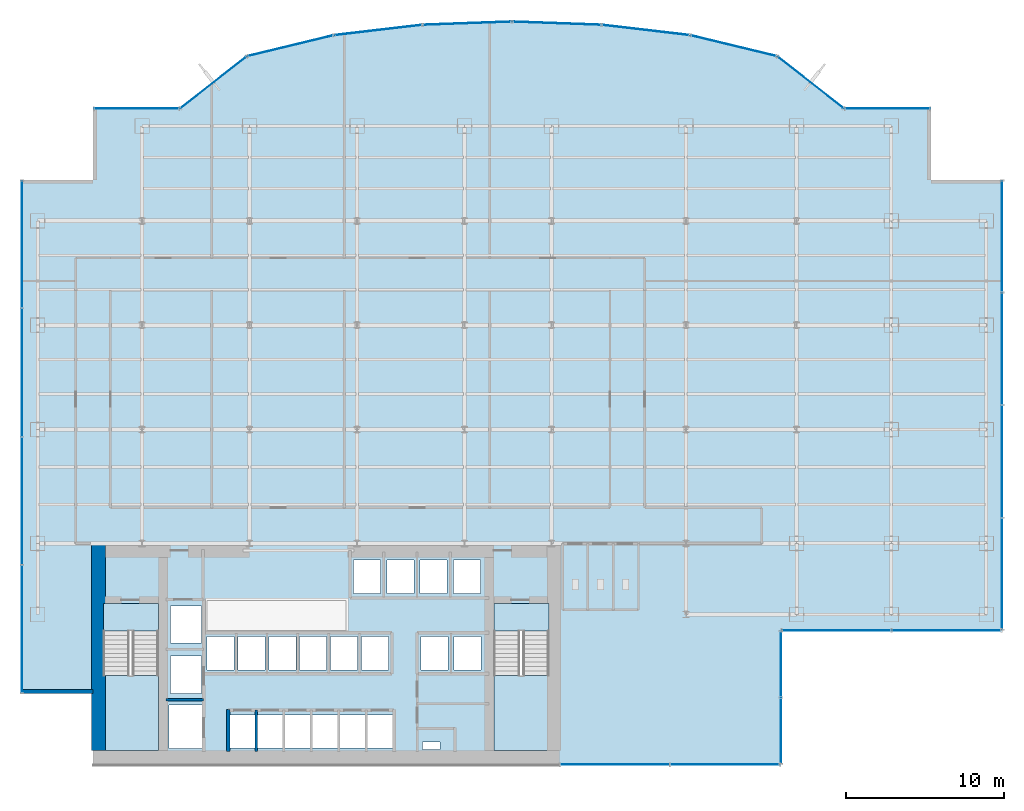
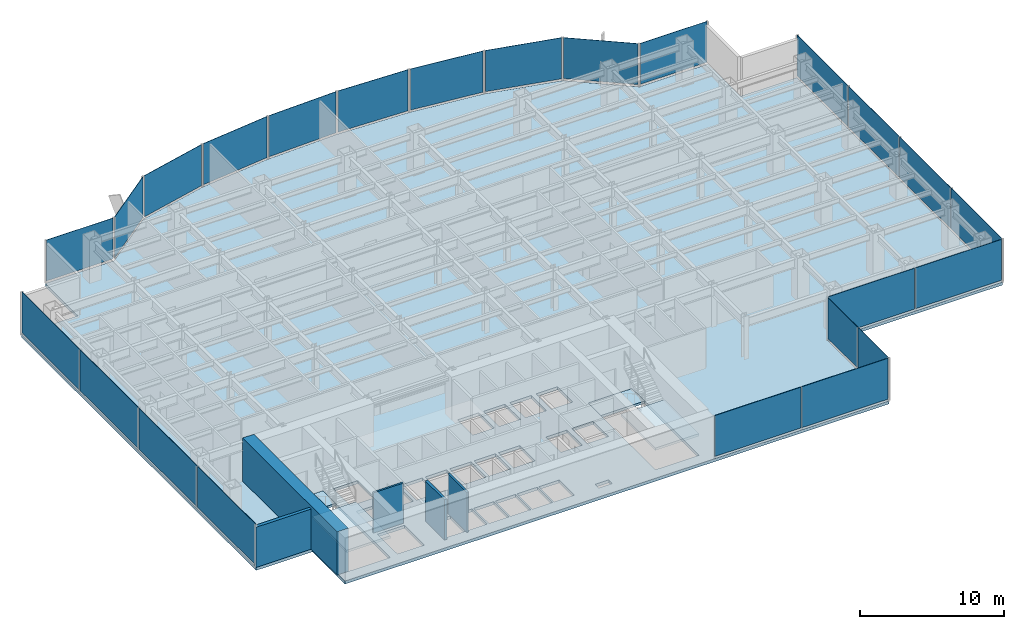
# One storey, part 17 of 23: 24 plates, 5 slabs, 5 walls, 17 elements without a shape of their own.
"""IFC4 building model written with IfcOpenShell, lengths in metres."""

from ifc_helpers import new_model, si_unit, derived_unit, direction, frame, frame_2d, origin, origin_2d, place, context, subcontext, project, spatial, polyline, rectangle, outline, extrude, source, transform, mapped, material, layer, layer_set, type_object, element, aggregate, save


model = new_model("IFC4")

# Units and contexts
model_context = context("Model", 3, precision=1e-05, world=origin(), true_north=direction((0.0, 1.0)))
body_context = subcontext(model_context, "Body", "Model", "MODEL_VIEW")
ifc_project = project(units=[si_unit("LENGTHUNIT", "METRE"), si_unit("AREAUNIT", "SQUARE_METRE"), si_unit("VOLUMEUNIT", "CUBIC_METRE"), si_unit("PLANEANGLEUNIT", "RADIAN"), si_unit("MASSUNIT", "GRAM", prefix="KILO"), derived_unit("THERMALTRANSMITTANCEUNIT", [(si_unit("POWERUNIT", "WATT"), 1), (si_unit("LENGTHUNIT", "METRE"), -2), (si_unit("THERMODYNAMICTEMPERATUREUNIT", "KELVIN"), -1)])], contexts=[model_context])

# Site, building, storey
site_placement = place(None, origin())
site = spatial("IfcSite", under=ifc_project, at=site_placement, CompositionType="ELEMENT")
building_placement = place(site_placement, origin())
building = spatial("IfcBuilding", under=site, at=building_placement, Name="Skarnbrae Concourse Arena and Tower", CompositionType="ELEMENT")
storey_placement = place(building_placement, frame((0.0, 0.0, 47.10009765625)))
storey = spatial("IfcBuildingStorey", under=building, at=storey_placement, Name="L10", CompositionType="ELEMENT", Elevation=47.10009765625)

# Stair, slab
ifc_material_1 = material(Name="Concrete 40 MPa (C40/50)", Category="concrete")
stair_type = type_object("IfcStairType", Name="STAIR-DOGLEG-1650", PredefinedType="HALF_TURN_STAIR", material=ifc_material_1)
stair_1_placement = place(storey_placement, origin())
stair_1 = element("IfcStair", 1, at=stair_1_placement, inside=storey, type_object=stair_type, Name="L10 Protected Exit Stair ST-1", PredefinedType="HALF_TURN_STAIR")
ifc_layer_1 = layer(ifc_material_1, 0.199951171875)
ifc_layer_set_1 = layer_set([ifc_layer_1], Name="Concrete 40 MPa (C40/50)")
slab_type_1 = type_object("IfcSlabType", Name="SLAB-LANDING-200", PredefinedType="LANDING", material=ifc_layer_set_1)
slab_1_placement = place(storey_placement, frame((0.0, 0.0, 1.625)))
slab_1 = element("IfcSlab", 2, at=slab_1_placement, type_object=slab_type_1, Name="ST-1 landing 1", PredefinedType="LANDING", context=body_context, shape_type="SweptSolid", body=[
    extrude(outline(polyline([(5.14990234375, 5.64990234375), (5.14990234375, 0.89990234375), (8.64990234375, 0.89990234375), (8.64990234375, 5.64990234375), (5.14990234375, 5.64990234375)])), origin(), (0.0, 0.0, 1.0), 0.199951171875),
])
aggregate(stair_1, [slab_1])

stair_2_placement = place(storey_placement, origin())
stair_2 = element("IfcStair", 3, at=stair_2_placement, inside=storey, type_object=stair_type, Name="L10 Protected Exit Stair ST-2", PredefinedType="HALF_TURN_STAIR")
slab_2_placement = place(storey_placement, frame((0.0, 0.0, 1.625)))
slab_2 = element("IfcSlab", 4, at=slab_2_placement, type_object=slab_type_1, Name="ST-2 landing 1", PredefinedType="LANDING", context=body_context, shape_type="SweptSolid", body=[
    extrude(outline(polyline([(29.85009765625, 5.64990234375), (29.85009765625, 0.89990234375), (33.35009765625, 0.89990234375), (33.35009765625, 5.64990234375), (29.85009765625, 5.64990234375)])), origin(), (0.0, 0.0, 1.0), 0.199951171875),
])
aggregate(stair_2, [slab_2])

# Slabs
slab_3_placement = place(storey_placement, frame((0.0, 0.0, -0.2001953125)))
element("IfcSlab", 5, at=slab_3_placement, inside=storey, type_object=slab_type_1, Name="L10 Core stair ST1 floor landing", PredefinedType="LANDING", context=body_context, shape_type="SweptSolid", body=[
    extrude(outline(polyline([(5.14990234375, 10.199951171875), (5.14990234375, 8.449951171875), (8.64990234375, 8.449951171875), (8.64990234375, 10.199951171875), (5.14990234375, 10.199951171875)])), origin(), (0.0, 0.0, 1.0), 0.2001953125),
])
slab_4_placement = place(storey_placement, frame((0.0, 0.0, -0.2001953125)))
element("IfcSlab", 6, at=slab_4_placement, inside=storey, type_object=slab_type_1, Name="L10 Core stair ST2 floor landing", PredefinedType="LANDING", context=body_context, shape_type="SweptSolid", body=[
    extrude(outline(polyline([(29.85009765625, 10.199951171875), (29.85009765625, 8.449951171875), (33.35009765625, 8.449951171875), (33.35009765625, 10.199951171875), (29.85009765625, 10.199951171875)])), origin(), (0.0, 0.0, 1.0), 0.2001953125),
])
ifc_layer_2 = layer(ifc_material_1, 0.25)
ifc_layer_set_2 = layer_set([ifc_layer_2], Name="Concrete 40 MPa (C40/50)")
slab_type_2 = type_object("IfcSlabType", Name="SLAB-TOWER-250", PredefinedType="FLOOR", material=ifc_layer_set_2)
slab_5_placement = place(storey_placement, frame((0.0, 0.0, -0.25)))
element("IfcSlab", 7, at=slab_5_placement, inside=storey, type_object=slab_type_2, Name="L10 Structural floor slab", PredefinedType="FLOOR", context=body_context, shape_type="SweptSolid", body=[
    extrude(outline(polyline([(4.5, 0.0), (48.0, 0.0), (48.0, 8.5), (62.0, 8.5), (62.0, 37.0), (57.5, 37.0), (57.5, 41.5), (52.0, 41.5), (47.766357421875, 44.811767578125), (42.2724609375, 46.140380859375), (36.65380859375, 46.796875), (31.0, 47.0), (25.34619140625, 46.796875), (19.7275390625, 46.140380859375), (14.233642578125, 44.811767578125), (10.0, 41.5), (4.5, 41.5), (4.5, 37.0), (0.0, 37.0), (0.0, 4.5), (4.5, 4.5), (4.5, 0.0)]), holes=[polyline([(13.14501953125, 3.155029296875), (14.7548828125, 3.155029296875), (14.7548828125, 1.044921875), (13.14501953125, 1.044921875), (13.14501953125, 3.155029296875)]), polyline([(16.4951171875, 3.155029296875), (16.4951171875, 1.044921875), (14.885009765625, 1.044921875), (14.885009765625, 3.155029296875), (16.4951171875, 3.155029296875)]), polyline([(18.235107421875, 3.155029296875), (18.235107421875, 1.044921875), (16.625, 1.044921875), (16.625, 3.155029296875), (18.235107421875, 3.155029296875)]), polyline([(18.364990234375, 3.155029296875), (19.97509765625, 3.155029296875), (19.97509765625, 1.044921875), (18.364990234375, 1.044921875), (18.364990234375, 3.155029296875)]), polyline([(11.455078125, 3.780029296875), (11.455078125, 1.02001953125), (9.294921875, 1.02001953125), (9.294921875, 3.780029296875), (11.455078125, 3.780029296875)]), polyline([(8.64990234375, 0.89990234375), (5.14990234375, 0.89990234375), (5.14990234375, 10.199951171875), (8.64990234375, 10.199951171875), (8.64990234375, 0.89990234375)]), polyline([(9.39501953125, 6.8798828125), (11.35498046875, 6.8798828125), (11.35498046875, 4.52001953125), (9.39501953125, 4.52001953125), (9.39501953125, 6.8798828125)]), polyline([(13.429931640625, 8.10498046875), (13.429931640625, 5.9951171875), (11.719970703125, 5.9951171875), (11.719970703125, 8.10498046875), (13.429931640625, 8.10498046875)]), polyline([(15.3798828125, 8.10498046875), (15.3798828125, 5.9951171875), (13.669921875, 5.9951171875), (13.669921875, 8.10498046875), (15.3798828125, 8.10498046875)]), polyline([(15.6201171875, 8.10498046875), (17.330078125, 8.10498046875), (17.330078125, 5.9951171875), (15.6201171875, 5.9951171875), (15.6201171875, 8.10498046875)]), polyline([(19.280029296875, 8.10498046875), (19.280029296875, 5.9951171875), (17.570068359375, 5.9951171875), (17.570068359375, 8.10498046875), (19.280029296875, 8.10498046875)]), polyline([(11.35498046875, 10.054931640625), (11.35498046875, 7.695068359375), (9.39501953125, 7.695068359375), (9.39501953125, 10.054931640625), (11.35498046875, 10.054931640625)]), polyline([(25.35009765625, 1.449951171875), (26.43994140625, 1.449951171875), (26.43994140625, 0.949951171875), (25.35009765625, 0.949951171875), (25.35009765625, 1.449951171875)]), polyline([(21.715087890625, 3.155029296875), (21.715087890625, 1.044921875), (20.10498046875, 1.044921875), (20.10498046875, 3.155029296875), (21.715087890625, 3.155029296875)]), polyline([(23.455078125, 3.155029296875), (23.455078125, 1.044921875), (21.844970703125, 1.044921875), (21.844970703125, 3.155029296875), (23.455078125, 3.155029296875)]), polyline([(33.35009765625, 10.199951171875), (33.35009765625, 0.89990234375), (29.85009765625, 0.89990234375), (29.85009765625, 10.199951171875), (33.35009765625, 10.199951171875)]), polyline([(21.22998046875, 8.10498046875), (21.22998046875, 5.9951171875), (19.52001953125, 5.9951171875), (19.52001953125, 8.10498046875), (21.22998046875, 8.10498046875)]), polyline([(23.179931640625, 8.10498046875), (23.179931640625, 5.9951171875), (21.469970703125, 5.9951171875), (21.469970703125, 8.10498046875), (23.179931640625, 8.10498046875)]), polyline([(25.235107421875, 8.10498046875), (26.945068359375, 8.10498046875), (26.945068359375, 5.9951171875), (25.235107421875, 5.9951171875), (25.235107421875, 8.10498046875)]), polyline([(29.044921875, 8.10498046875), (29.044921875, 5.9951171875), (27.3349609375, 5.9951171875), (27.3349609375, 8.10498046875), (29.044921875, 8.10498046875)]), polyline([(22.695068359375, 12.955078125), (22.695068359375, 10.844970703125), (20.985107421875, 10.844970703125), (20.985107421875, 12.955078125), (22.695068359375, 12.955078125)]), polyline([(23.0849609375, 12.955078125), (24.794921875, 12.955078125), (24.794921875, 10.844970703125), (23.0849609375, 10.844970703125), (23.0849609375, 12.955078125)]), polyline([(26.89501953125, 12.955078125), (26.89501953125, 10.844970703125), (25.18505859375, 10.844970703125), (25.18505859375, 12.955078125), (26.89501953125, 12.955078125)]), polyline([(28.9951171875, 12.955078125), (28.9951171875, 10.844970703125), (27.284912109375, 10.844970703125), (27.284912109375, 12.955078125), (28.9951171875, 12.955078125)])]), origin(), (0.0, 0.0, 1.0), 0.25),
])

# Curtain wall, plates
ifc_material_2 = material(Name="Bronze anodised aluminium 6063-T6", Category="aluminium")
curtain_wall_type_1 = type_object("IfcCurtainWallType", Name="CW-SYS-02-LOWZONE", PredefinedType="USERDEFINED", material=ifc_material_2)
curtain_wall_1_placement = place(storey_placement, origin())
curtain_wall_1 = element("IfcCurtainWall", 8, at=curtain_wall_1_placement, inside=storey, type_object=curtain_wall_type_1, Name="L10 Unitised curtain wall CW-L10-SE-SPINE", ObjectType="UNITISED CURTAIN WALL", PredefinedType="USERDEFINED")
ifc_material_3 = material(Name="Low-E triple insulating glass", Category="glass")
ifc_layer_3 = layer(ifc_material_3, 0.031982421875)
ifc_layer_set_3 = layer_set([ifc_layer_3], Name="Low-E triple insulating glass")
plate_type_1 = type_object("IfcPlateType", Name="CWP-CW-02", PredefinedType="CURTAIN_PANEL", material=ifc_layer_set_3)
shared_shape_1 = source(origin(), body_context, "Body", "SweptSolid", [
    extrude(rectangle(XDim=6.8798828125, YDim=0.031982421875, at=origin_2d()), origin(), (0.0, 0.0, 1.0), 3.4599609375),
])
plate_1_placement = place(storey_placement, frame((37.52001953125, 0.0, 0.18994140625), z_axis=(0.0, 0.0, 1.0), x_axis=(1.0, 0.0, 0.0)))
plate_1 = element("IfcPlate", 9, at=plate_1_placement, type_object=plate_type_1, Name="CW-L10-SE-SPINE Low-E Glazing Panel 1", PredefinedType="CURTAIN_PANEL", context=body_context, shape_type="MappedRepresentation", body=[
    mapped(shared_shape_1, transform((0.0, 0.0, 0.0))),
])
plate_2_placement = place(storey_placement, frame((44.47998046875, 0.0, 0.18994140625), z_axis=(0.0, 0.0, 1.0), x_axis=(1.0, 0.0, 0.0)))
plate_2 = element("IfcPlate", 10, at=plate_2_placement, type_object=plate_type_1, Name="CW-L10-SE-SPINE Low-E Glazing Panel 2", PredefinedType="CURTAIN_PANEL", context=body_context, shape_type="MappedRepresentation", body=[
    mapped(shared_shape_1, transform((0.0, 0.0, 0.0))),
])
aggregate(curtain_wall_1, [plate_1, plate_2])

curtain_wall_2_placement = place(storey_placement, origin())
curtain_wall_2 = element("IfcCurtainWall", 11, at=curtain_wall_2_placement, inside=storey, type_object=curtain_wall_type_1, Name="L10 Unitised curtain wall CW-L10-E03", ObjectType="UNITISED CURTAIN WALL", PredefinedType="USERDEFINED")
plate_3_placement = place(storey_placement, frame((51.52001953125, 8.5, 0.18994140625), z_axis=(0.0, 0.0, 1.0), x_axis=(1.0, 0.0, 0.0)))
plate_3 = element("IfcPlate", 12, at=plate_3_placement, type_object=plate_type_1, Name="CW-L10-E03 Low-E Glazing Panel 1", PredefinedType="CURTAIN_PANEL", context=body_context, shape_type="MappedRepresentation", body=[
    mapped(shared_shape_1, transform((0.0, 0.0, 0.0))),
])
plate_4_placement = place(storey_placement, frame((58.47998046875, 8.5, 0.18994140625), z_axis=(0.0, 0.0, 1.0), x_axis=(1.0, 0.0, 0.0)))
plate_4 = element("IfcPlate", 13, at=plate_4_placement, type_object=plate_type_1, Name="CW-L10-E03 Low-E Glazing Panel 2", PredefinedType="CURTAIN_PANEL", context=body_context, shape_type="MappedRepresentation", body=[
    mapped(shared_shape_1, transform((0.0, 0.0, 0.0))),
])
aggregate(curtain_wall_2, [plate_3, plate_4])

curtain_wall_3_placement = place(storey_placement, origin())
curtain_wall_3 = element("IfcCurtainWall", 14, at=curtain_wall_3_placement, inside=storey, type_object=curtain_wall_type_1, Name="L10 Unitised curtain wall CW-L10-E02", ObjectType="UNITISED CURTAIN WALL", PredefinedType="USERDEFINED")
shared_shape_2 = source(origin(), body_context, "Body", "SweptSolid", [
    extrude(rectangle(XDim=4.1298828125, YDim=0.031982421875, at=origin_2d()), origin(), (0.0, 0.0, 1.0), 3.4599609375),
])
plate_5_placement = place(storey_placement, frame((48.0, 2.14501953125, 0.18994140625), z_axis=(0.0, 0.0, 1.0), x_axis=(0.0, 1.0, 0.0)))
plate_5 = element("IfcPlate", 15, at=plate_5_placement, type_object=plate_type_1, Name="CW-L10-E02 Low-E Glazing Panel 1", PredefinedType="CURTAIN_PANEL", context=body_context, shape_type="MappedRepresentation", body=[
    mapped(shared_shape_2, transform((0.0, 0.0, 0.0))),
])
plate_6_placement = place(storey_placement, frame((48.0, 6.35498046875, 0.18994140625), z_axis=(0.0, 0.0, 1.0), x_axis=(0.0, 1.0, 0.0)))
plate_6 = element("IfcPlate", 16, at=plate_6_placement, type_object=plate_type_1, Name="CW-L10-E02 Low-E Glazing Panel 2", PredefinedType="CURTAIN_PANEL", context=body_context, shape_type="MappedRepresentation", body=[
    mapped(shared_shape_2, transform((0.0, 0.0, 0.0))),
])
aggregate(curtain_wall_3, [plate_5, plate_6])

curtain_wall_4_placement = place(storey_placement, origin())
curtain_wall_4 = element("IfcCurtainWall", 17, at=curtain_wall_4_placement, inside=storey, type_object=curtain_wall_type_1, Name="L10 Unitised curtain wall CW-L10-E04", ObjectType="UNITISED CURTAIN WALL", PredefinedType="USERDEFINED")
shared_shape_3 = source(origin(), body_context, "Body", "SweptSolid", [
    extrude(rectangle(XDim=7.0048828125, YDim=0.031982421875, at=origin_2d()), origin(), (0.0, 0.0, 1.0), 3.4599609375),
])
plate_7_placement = place(storey_placement, frame((62.0, 12.08251953125, 0.18994140625), z_axis=(0.0, 0.0, 1.0), x_axis=(0.0, 1.0, 0.0)))
plate_7 = element("IfcPlate", 18, at=plate_7_placement, type_object=plate_type_1, Name="CW-L10-E04 Low-E Glazing Panel 1", PredefinedType="CURTAIN_PANEL", context=body_context, shape_type="MappedRepresentation", body=[
    mapped(shared_shape_3, transform((0.0, 0.0, 0.0))),
])
plate_8_placement = place(storey_placement, frame((62.0, 33.41748046875, 0.18994140625), z_axis=(0.0, 0.0, 1.0), x_axis=(0.0, 1.0, 0.0)))
plate_8 = element("IfcPlate", 19, at=plate_8_placement, type_object=plate_type_1, Name="CW-L10-E04 Low-E Glazing Panel 4", PredefinedType="CURTAIN_PANEL", context=body_context, shape_type="MappedRepresentation", body=[
    mapped(shared_shape_3, transform((0.0, 0.0, 0.0))),
])
shared_shape_4 = source(origin(), body_context, "Body", "SweptSolid", [
    extrude(rectangle(XDim=7.044921875, YDim=0.031982421875, at=origin_2d()), origin(), (0.0, 0.0, 1.0), 3.4599609375),
])
plate_9_placement = place(storey_placement, frame((62.0, 19.1875, 0.18994140625), z_axis=(0.0, 0.0, 1.0), x_axis=(0.0, 1.0, 0.0)))
plate_9 = element("IfcPlate", 20, at=plate_9_placement, type_object=plate_type_1, Name="CW-L10-E04 Low-E Glazing Panel 2", PredefinedType="CURTAIN_PANEL", context=body_context, shape_type="MappedRepresentation", body=[
    mapped(shared_shape_4, transform((0.0, 0.0, 0.0))),
])
plate_10_placement = place(storey_placement, frame((62.0, 26.3125, 0.18994140625), z_axis=(0.0, 0.0, 1.0), x_axis=(0.0, 1.0, 0.0)))
plate_10 = element("IfcPlate", 21, at=plate_10_placement, type_object=plate_type_1, Name="CW-L10-E04 Low-E Glazing Panel 3", PredefinedType="CURTAIN_PANEL", context=body_context, shape_type="MappedRepresentation", body=[
    mapped(shared_shape_4, transform((0.0, 0.0, 0.0))),
])
aggregate(curtain_wall_4, [plate_7, plate_9, plate_10, plate_8])

# Curtain wall, plate
curtain_wall_5_placement = place(storey_placement, origin())
curtain_wall_5 = element("IfcCurtainWall", 22, at=curtain_wall_5_placement, inside=storey, type_object=curtain_wall_type_1, Name="L10 Unitised curtain wall CW-L10-E07", ObjectType="UNITISED CURTAIN WALL", PredefinedType="USERDEFINED")
shared_shape_5 = source(origin(), body_context, "Body", "SweptSolid", [
    extrude(rectangle(XDim=5.340087890625, YDim=0.031982421875, at=origin_2d()), origin(), (0.0, 0.0, 1.0), 3.4599609375),
])
plate_11_placement = place(storey_placement, frame((54.75, 41.5, 0.18994140625), z_axis=(0.0, 0.0, 1.0), x_axis=(-1.0, 0.0, 0.0)))
plate_11 = element("IfcPlate", 23, at=plate_11_placement, type_object=plate_type_1, Name="CW-L10-E07 Low-E Glazing Panel 1", PredefinedType="CURTAIN_PANEL", context=body_context, shape_type="MappedRepresentation", body=[
    mapped(shared_shape_5, transform((0.0, 0.0, 0.0))),
])
aggregate(curtain_wall_5, [plate_11])

curtain_wall_6_placement = place(storey_placement, origin())
curtain_wall_6 = element("IfcCurtainWall", 24, at=curtain_wall_6_placement, inside=storey, type_object=curtain_wall_type_1, Name="L10 Unitised curtain wall CW-L10-E16", ObjectType="UNITISED CURTAIN WALL", PredefinedType="USERDEFINED")
plate_12_placement = place(storey_placement, frame((7.25, 41.5, 0.18994140625), z_axis=(0.0, 0.0, 1.0), x_axis=(-1.0, 0.0, 0.0)))
plate_12 = element("IfcPlate", 25, at=plate_12_placement, type_object=plate_type_1, Name="CW-L10-E16 Low-E Glazing Panel 1", PredefinedType="CURTAIN_PANEL", context=body_context, shape_type="MappedRepresentation", body=[
    mapped(shared_shape_5, transform((0.0, 0.0, 0.0))),
])
aggregate(curtain_wall_6, [plate_12])

curtain_wall_7_placement = place(storey_placement, origin())
curtain_wall_7 = element("IfcCurtainWall", 26, at=curtain_wall_7_placement, inside=storey, type_object=curtain_wall_type_1, Name="L10 Unitised curtain wall CW-L10-E08", ObjectType="UNITISED CURTAIN WALL", PredefinedType="USERDEFINED")
shared_shape_6 = source(origin(), body_context, "Body", "SweptSolid", [
    extrude(rectangle(XDim=5.215087890625, YDim=0.031982421875, at=origin_2d()), origin(), (0.0, 0.0, 1.0), 3.4599609375),
])
plate_13_placement = place(storey_placement, frame((49.88330078125, 43.156005859375, 0.18994140625), z_axis=(0.0, 0.0, 1.0), x_axis=(-0.787651726054, 0.616120733658, 0.0)))
plate_13 = element("IfcPlate", 27, at=plate_13_placement, type_object=plate_type_1, Name="CW-L10-E08 Low-E Glazing Panel 1", PredefinedType="CURTAIN_PANEL", context=body_context, shape_type="MappedRepresentation", body=[
    mapped(shared_shape_6, transform((0.0, 0.0, 0.0))),
])
aggregate(curtain_wall_7, [plate_13])

curtain_wall_8_placement = place(storey_placement, origin())
curtain_wall_8 = element("IfcCurtainWall", 28, at=curtain_wall_8_placement, inside=storey, type_object=curtain_wall_type_1, Name="L10 Unitised curtain wall CW-L10-E15", ObjectType="UNITISED CURTAIN WALL", PredefinedType="USERDEFINED")
plate_14_placement = place(storey_placement, frame((12.11669921875, 43.156005859375, 0.18994140625), z_axis=(0.0, 0.0, 1.0), x_axis=(-0.787651726054, -0.616120733658, 0.0)))
plate_14 = element("IfcPlate", 29, at=plate_14_placement, type_object=plate_type_1, Name="CW-L10-E15 Low-E Glazing Panel 1", PredefinedType="CURTAIN_PANEL", context=body_context, shape_type="MappedRepresentation", body=[
    mapped(shared_shape_6, transform((0.0, 0.0, 0.0))),
])
aggregate(curtain_wall_8, [plate_14])

# Curtain wall, plates
curtain_wall_9_placement = place(storey_placement, origin())
curtain_wall_9 = element("IfcCurtainWall", 30, at=curtain_wall_9_placement, inside=storey, type_object=curtain_wall_type_1, Name="L10 Unitised curtain wall CW-L10-E19", ObjectType="UNITISED CURTAIN WALL", PredefinedType="USERDEFINED")
shared_shape_7 = source(origin(), body_context, "Body", "SweptSolid", [
    extrude(rectangle(XDim=8.0048828125, YDim=0.031982421875, at=origin_2d()), origin(), (0.0, 0.0, 1.0), 3.4599609375),
])
plate_15_placement = place(storey_placement, frame((0.0, 32.91748046875, 0.18994140625), z_axis=(0.0, 0.0, 1.0), x_axis=(0.0, -1.0, 0.0)))
plate_15 = element("IfcPlate", 31, at=plate_15_placement, type_object=plate_type_1, Name="CW-L10-E19 Low-E Glazing Panel 1", PredefinedType="CURTAIN_PANEL", context=body_context, shape_type="MappedRepresentation", body=[
    mapped(shared_shape_7, transform((0.0, 0.0, 0.0))),
])
plate_16_placement = place(storey_placement, frame((0.0, 8.58251953125, 0.18994140625), z_axis=(0.0, 0.0, 1.0), x_axis=(0.0, -1.0, 0.0)))
plate_16 = element("IfcPlate", 32, at=plate_16_placement, type_object=plate_type_1, Name="CW-L10-E19 Low-E Glazing Panel 4", PredefinedType="CURTAIN_PANEL", context=body_context, shape_type="MappedRepresentation", body=[
    mapped(shared_shape_7, transform((0.0, 0.0, 0.0))),
])
shared_shape_8 = source(origin(), body_context, "Body", "SweptSolid", [
    extrude(rectangle(XDim=8.044921875, YDim=0.031982421875, at=origin_2d()), origin(), (0.0, 0.0, 1.0), 3.4599609375),
])
plate_17_placement = place(storey_placement, frame((0.0, 24.8125, 0.18994140625), z_axis=(0.0, 0.0, 1.0), x_axis=(0.0, -1.0, 0.0)))
plate_17 = element("IfcPlate", 33, at=plate_17_placement, type_object=plate_type_1, Name="CW-L10-E19 Low-E Glazing Panel 2", PredefinedType="CURTAIN_PANEL", context=body_context, shape_type="MappedRepresentation", body=[
    mapped(shared_shape_8, transform((0.0, 0.0, 0.0))),
])
plate_18_placement = place(storey_placement, frame((0.0, 16.6875, 0.18994140625), z_axis=(0.0, 0.0, 1.0), x_axis=(0.0, -1.0, 0.0)))
plate_18 = element("IfcPlate", 34, at=plate_18_placement, type_object=plate_type_1, Name="CW-L10-E19 Low-E Glazing Panel 3", PredefinedType="CURTAIN_PANEL", context=body_context, shape_type="MappedRepresentation", body=[
    mapped(shared_shape_8, transform((0.0, 0.0, 0.0))),
])
aggregate(curtain_wall_9, [plate_15, plate_17, plate_18, plate_16])

# Curtain wall, plate
curtain_wall_type_2 = type_object("IfcCurtainWallType", Name="CW-SYS-03-PORTAL", PredefinedType="USERDEFINED", material=ifc_material_2)
curtain_wall_10_placement = place(storey_placement, origin())
curtain_wall_10 = element("IfcCurtainWall", 35, at=curtain_wall_10_placement, inside=storey, type_object=curtain_wall_type_2, Name="L10 Unitised curtain wall CW-L10-E09", ObjectType="UNITISED CURTAIN WALL", PredefinedType="USERDEFINED")
ifc_layer_4 = layer(ifc_material_3, 0.033935546875)
ifc_layer_set_4 = layer_set([ifc_layer_4], Name="Low-E triple insulating glass")
plate_type_2 = type_object("IfcPlateType", Name="CWP-CW-03", PredefinedType="CURTAIN_PANEL", material=ifc_layer_set_4)
shared_shape_9 = source(origin(), body_context, "Body", "SweptSolid", [
    extrude(rectangle(XDim=5.4921875, YDim=0.033935546875, at=origin_2d()), origin(), (0.0, 0.0, 1.0), 3.47998046875),
])
plate_19_placement = place(storey_placement, frame((45.019287109375, 45.47607421875, 0.169921875), z_axis=(0.0, 0.0, 1.0), x_axis=(-0.971973721569, 0.235089524607, 0.0)))
plate_19 = element("IfcPlate", 36, at=plate_19_placement, type_object=plate_type_2, Name="CW-L10-E09 Low-E Glazing Panel 1", PredefinedType="CURTAIN_PANEL", context=body_context, shape_type="MappedRepresentation", body=[
    mapped(shared_shape_9, transform((0.0, 0.0, 0.0))),
])
aggregate(curtain_wall_10, [plate_19])

curtain_wall_11_placement = place(storey_placement, origin())
curtain_wall_11 = element("IfcCurtainWall", 37, at=curtain_wall_11_placement, inside=storey, type_object=curtain_wall_type_2, Name="L10 Unitised curtain wall CW-L10-E14", ObjectType="UNITISED CURTAIN WALL", PredefinedType="USERDEFINED")
plate_20_placement = place(storey_placement, frame((16.980712890625, 45.47607421875, 0.169921875), z_axis=(0.0, 0.0, 1.0), x_axis=(-0.971973721569, -0.235089524607, 0.0)))
plate_20 = element("IfcPlate", 38, at=plate_20_placement, type_object=plate_type_2, Name="CW-L10-E14 Low-E Glazing Panel 1", PredefinedType="CURTAIN_PANEL", context=body_context, shape_type="MappedRepresentation", body=[
    mapped(shared_shape_9, transform((0.0, 0.0, 0.0))),
])
aggregate(curtain_wall_11, [plate_20])

curtain_wall_12_placement = place(storey_placement, origin())
curtain_wall_12 = element("IfcCurtainWall", 39, at=curtain_wall_12_placement, inside=storey, type_object=curtain_wall_type_2, Name="L10 Unitised curtain wall CW-L10-E10", ObjectType="UNITISED CURTAIN WALL", PredefinedType="USERDEFINED")
shared_shape_10 = source(origin(), body_context, "Body", "SweptSolid", [
    extrude(rectangle(XDim=5.49658203125, YDim=0.033935546875, at=origin_2d()), origin(), (0.0, 0.0, 1.0), 3.47998046875),
])
plate_21_placement = place(storey_placement, frame((39.463134765625, 46.46875, 0.169921875), z_axis=(0.0, 0.0, 1.0), x_axis=(-0.99324457001, 0.116039752435, 0.0)))
plate_21 = element("IfcPlate", 40, at=plate_21_placement, type_object=plate_type_2, Name="CW-L10-E10 Low-E Glazing Panel 1", PredefinedType="CURTAIN_PANEL", context=body_context, shape_type="MappedRepresentation", body=[
    mapped(shared_shape_10, transform((0.0, 0.0, 0.0))),
])
aggregate(curtain_wall_12, [plate_21])

curtain_wall_13_placement = place(storey_placement, origin())
curtain_wall_13 = element("IfcCurtainWall", 41, at=curtain_wall_13_placement, inside=storey, type_object=curtain_wall_type_2, Name="L10 Unitised curtain wall CW-L10-E13", ObjectType="UNITISED CURTAIN WALL", PredefinedType="USERDEFINED")
plate_22_placement = place(storey_placement, frame((22.536865234375, 46.46875, 0.169921875), z_axis=(0.0, 0.0, 1.0), x_axis=(-0.99324457001, -0.116039752435, 0.0)))
plate_22 = element("IfcPlate", 42, at=plate_22_placement, type_object=plate_type_2, Name="CW-L10-E13 Low-E Glazing Panel 1", PredefinedType="CURTAIN_PANEL", context=body_context, shape_type="MappedRepresentation", body=[
    mapped(shared_shape_10, transform((0.0, 0.0, 0.0))),
])
aggregate(curtain_wall_13, [plate_22])

curtain_wall_14_placement = place(storey_placement, origin())
curtain_wall_14 = element("IfcCurtainWall", 43, at=curtain_wall_14_placement, inside=storey, type_object=curtain_wall_type_2, Name="L10 Unitised curtain wall CW-L10-E11", ObjectType="UNITISED CURTAIN WALL", PredefinedType="USERDEFINED")
shared_shape_11 = source(origin(), body_context, "Body", "SweptSolid", [
    extrude(rectangle(XDim=5.49755859375, YDim=0.033935546875, at=origin_2d()), origin(), (0.0, 0.0, 1.0), 3.47998046875),
])
plate_23_placement = place(storey_placement, frame((33.826904296875, 46.8984375, 0.169921875), z_axis=(0.0, 0.0, 1.0), x_axis=(-0.999355425188, 0.035898943527, 0.0)))
plate_23 = element("IfcPlate", 44, at=plate_23_placement, type_object=plate_type_2, Name="CW-L10-E11 Low-E Glazing Panel 1", PredefinedType="CURTAIN_PANEL", context=body_context, shape_type="MappedRepresentation", body=[
    mapped(shared_shape_11, transform((0.0, 0.0, 0.0))),
])
aggregate(curtain_wall_14, [plate_23])

curtain_wall_15_placement = place(storey_placement, origin())
curtain_wall_15 = element("IfcCurtainWall", 45, at=curtain_wall_15_placement, inside=storey, type_object=curtain_wall_type_2, Name="L10 Unitised curtain wall CW-L10-E12", ObjectType="UNITISED CURTAIN WALL", PredefinedType="USERDEFINED")
plate_24_placement = place(storey_placement, frame((28.173095703125, 46.8984375, 0.169921875), z_axis=(0.0, 0.0, 1.0), x_axis=(-0.999355425188, -0.035898943527, 0.0)))
plate_24 = element("IfcPlate", 46, at=plate_24_placement, type_object=plate_type_2, Name="CW-L10-E12 Low-E Glazing Panel 1", PredefinedType="CURTAIN_PANEL", context=body_context, shape_type="MappedRepresentation", body=[
    mapped(shared_shape_11, transform((0.0, 0.0, 0.0))),
])
aggregate(curtain_wall_15, [plate_24])

# Walls
ifc_material_4 = material(Name="Concrete 70 MPa (C70/85)", Category="concrete")
ifc_layer_5 = layer(ifc_material_4, 0.89990234375)
ifc_layer_set_5 = layer_set([ifc_layer_5], Name="Concrete 70 MPa (C70/85)")
wall_type_1 = type_object("IfcWallType", Name="WALL-CORE-900-C70", PredefinedType="SHEAR", material=ifc_layer_set_5)
shared_shape_12 = source(origin(), body_context, "Body", "SweptSolid", [
    extrude(rectangle(XDim=13.10009765625, YDim=0.89990234375, at=frame_2d((6.550048828125, 0.0))), origin(), (0.0, 0.0, 1.0), 3.64990234375),
])
wall_1_placement = place(storey_placement, frame((4.85009765625, 0.89990234375, 0.0), z_axis=(0.0, 0.0, 1.0), x_axis=(0.0, 1.0, 0.0)))
element("IfcWall", 47, at=wall_1_placement, inside=storey, type_object=wall_type_1, Name="L10 Rear core shear wall CW-W", PredefinedType="SHEAR", context=body_context, shape_type="MappedRepresentation", body=[
    mapped(shared_shape_12, transform((0.0, 0.0, 0.0))),
])
ifc_material_5 = material(Name="Precast concrete 40 MPa (C40/50)", Category="concrete")
ifc_layer_6 = layer(ifc_material_5, 0.25)
ifc_layer_set_6 = layer_set([ifc_layer_6], Name="Precast concrete 40 MPa (C40/50)")
wall_type_2 = type_object("IfcWallType", Name="WALL-EXT-SPANDREL-250", PredefinedType="STANDARD", material=ifc_layer_set_6)
shared_shape_13 = source(origin(), body_context, "Body", "SweptSolid", [
    extrude(rectangle(XDim=4.5, YDim=0.25, at=frame_2d((2.25, 0.0))), origin(), (0.0, 0.0, 1.0), 3.39990234375),
])
wall_2_placement = place(storey_placement, frame((0.0, 4.625, 0.0), z_axis=(0.0, 0.0, 1.0), x_axis=(1.0, 0.0, 0.0)))
element("IfcWall", 48, at=wall_2_placement, inside=storey, type_object=wall_type_2, Name="L10 Notched corner insulated return wall 20", PredefinedType="STANDARD", context=body_context, shape_type="MappedRepresentation", body=[
    mapped(shared_shape_13, transform((0.0, 0.0, 0.0))),
])
ifc_material_6 = material(Name="Gypsum board on cold-formed steel studs", Category="steel")
ifc_layer_7 = layer(ifc_material_6, 0.14990234375)
ifc_layer_set_7 = layer_set([ifc_layer_7], Name="Gypsum board on cold-formed steel studs")
wall_type_3 = type_object("IfcWallType", Name="WALL-PART-150", PredefinedType="PARTITIONING", material=ifc_layer_set_7)
shared_shape_14 = source(origin(), body_context, "Body", "SweptSolid", [
    extrude(rectangle(XDim=2.39990234375, YDim=0.14990234375, at=frame_2d((1.199951171875, 0.0))), origin(), (0.0, 0.0, 1.0), 3.39990234375),
])
wall_3_placement = place(storey_placement, frame((9.10009765625, 4.10009765625, 0.0), z_axis=(0.0, 0.0, 1.0), x_axis=(1.0, 0.0, 0.0)))
element("IfcWall", 49, at=wall_3_placement, inside=storey, type_object=wall_type_3, Name="L10 Interior partition wall W-L10-FL-D1", PredefinedType="PARTITIONING", context=body_context, shape_type="MappedRepresentation", body=[
    mapped(shared_shape_14, transform((0.0, 0.0, 0.0))),
])
ifc_layer_8 = layer(ifc_material_6, 0.199951171875)
ifc_layer_set_8 = layer_set([ifc_layer_8], Name="Gypsum board on cold-formed steel studs")
wall_type_4 = type_object("IfcWallType", Name="WALL-PART-200-2HR", PredefinedType="PARTITIONING", material=ifc_layer_set_8)
shared_shape_15 = source(origin(), body_context, "Body", "SweptSolid", [
    extrude(rectangle(XDim=2.64990234375, YDim=0.199951171875, at=frame_2d((1.324951171875, 0.0))), origin(), (0.0, 0.0, 1.0), 3.39990234375),
])
wall_4_placement = place(storey_placement, frame((13.050048828125, 0.85009765625, 0.0), z_axis=(0.0, 0.0, 1.0), x_axis=(0.0, 1.0, 0.0)))
element("IfcWall", 50, at=wall_4_placement, inside=storey, type_object=wall_type_4, Name="L10 Interior partition wall W-L10-B1-W", PredefinedType="PARTITIONING", context=body_context, shape_type="MappedRepresentation", body=[
    mapped(shared_shape_15, transform((0.0, 0.0, 0.0))),
])
shared_shape_16 = source(origin(), body_context, "Body", "SweptSolid", [
    extrude(rectangle(XDim=2.599853515625, YDim=0.14990234375, at=frame_2d((1.2998046875, 0.0))), origin(), (0.0, 0.0, 1.0), 3.39990234375),
])
wall_5_placement = place(storey_placement, frame((14.820068359375, 0.85009765625, 0.0), z_axis=(0.0, 0.0, 1.0), x_axis=(0.0, 1.0, 0.0)))
element("IfcWall", 51, at=wall_5_placement, inside=storey, type_object=wall_type_3, Name="L10 Interior partition wall W-L10-B1-P1", PredefinedType="PARTITIONING", context=body_context, shape_type="MappedRepresentation", body=[
    mapped(shared_shape_16, transform((0.0, 0.0, 0.0))),
])

save(model, "model.ifc")
